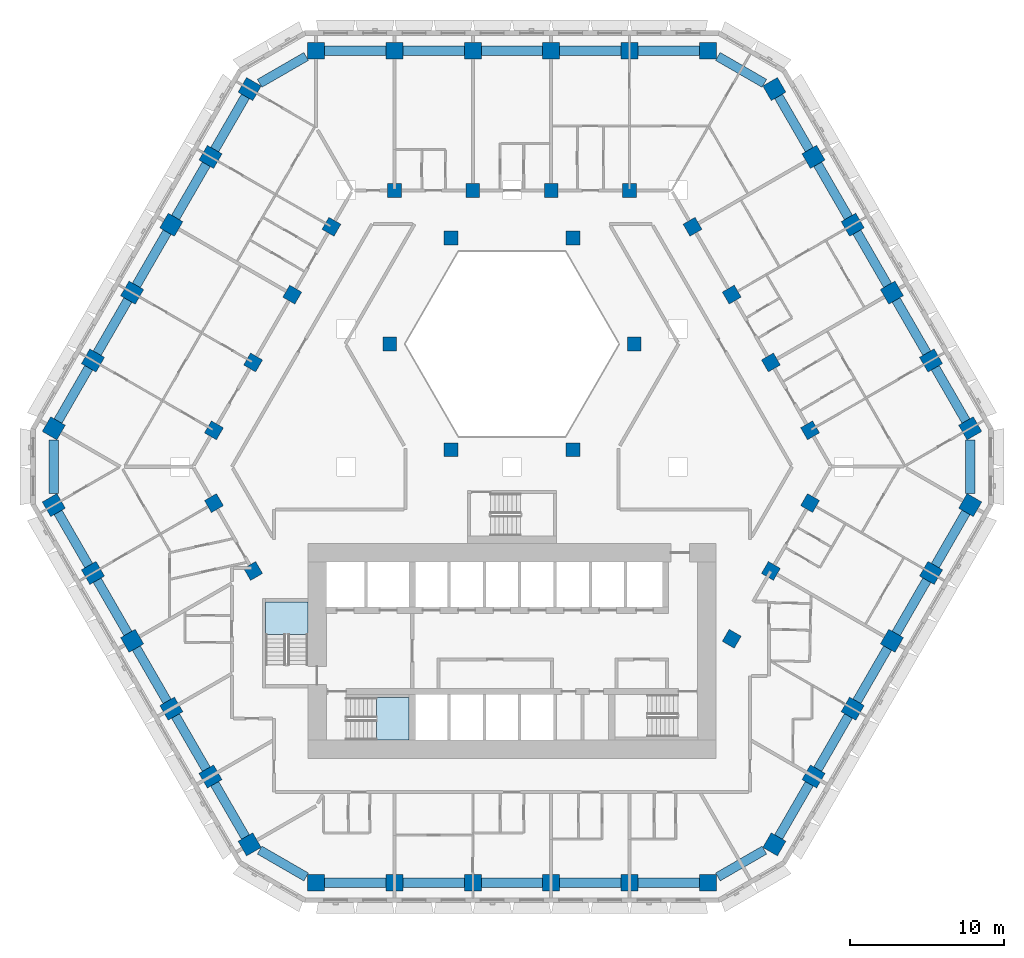
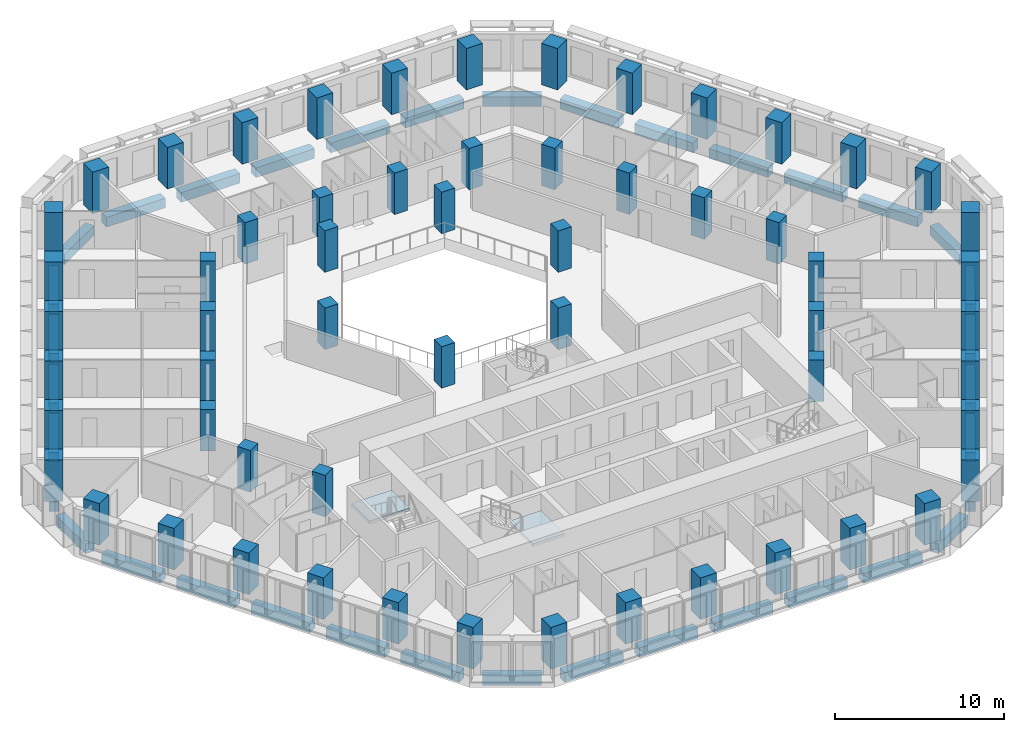
# One storey, part 1 of 21: 59 columns, 36 beams, 2 slabs, 2 elements without a shape of their own.
"""IFC4 building model written with IfcOpenShell, lengths in metres."""

from ifc_helpers import new_model, si_unit, direction, frame, origin, origin_2d, place, context, subcontext, project, spatial, polyline, rectangle, outline, extrude, material, layer, layer_set, material_profile, profile_set, type_object, element, aggregate, save


model = new_model("IFC4")

# Units and contexts
model_context = context("Model", 3, precision=1e-05, world=origin(), true_north=direction((0.0, 1.0)))
body_context = subcontext(model_context, "Body", "Model", "MODEL_VIEW")
ifc_project = project(units=[si_unit("LENGTHUNIT", "METRE"), si_unit("AREAUNIT", "SQUARE_METRE"), si_unit("VOLUMEUNIT", "CUBIC_METRE"), si_unit("PLANEANGLEUNIT", "RADIAN"), si_unit("MASSUNIT", "GRAM", prefix="KILO")], contexts=[model_context])

# Site, building, storey
site_placement = place(None, origin())
site = spatial("IfcSite", under=ifc_project, at=site_placement, CompositionType="ELEMENT")
building_placement = place(site_placement, origin())
building = spatial("IfcBuilding", under=site, at=building_placement, Name="Beryl Residences", CompositionType="ELEMENT")
storey_placement = place(building_placement, frame((0.0, 0.0, 23.39990234375)))
storey = spatial("IfcBuildingStorey", under=building, at=storey_placement, Name="L06", CompositionType="ELEMENT", Elevation=23.39990234375)

# Columns
ifc_material_1 = material(Name="Concrete C80/95", Category="concrete")
ifc_material_profile_1 = material_profile(ifc_material_1, rectangle(XDim=1.10009765625, YDim=1.10009765625, at=origin_2d()))
ifc_profile_set_1 = profile_set([ifc_material_profile_1], Name="Concrete C80/95")
column_type_1 = type_object("IfcColumnType", Name="C1 tube column 1100 x 1100 C80/95", PredefinedType="COLUMN", material=ifc_profile_set_1)
for number, where, z_axis, x_axis, name in (
    (1, (12.759033203125, 27.10009765625, 0.0), (0.0, 0.0, 1.0), (-1.0, 0.0, 0.0), "C1-N1 L06"),
    (2, (7.655029296875, 27.10009765625, 0.0), (0.0, 0.0, 1.0), (-1.0, 0.0, 0.0), "C1-N2 L06"),
    (3, (2.551025390625, 27.10009765625, 0.0), (0.0, 0.0, 1.0), (-1.0, 0.0, 0.0), "C1-N3 L06"),
    (4, (-2.552978515625, 27.10009765625, 0.0), (0.0, 0.0, 1.0), (-1.0, 0.0, 0.0), "C1-N4 L06"),
    (5, (-7.656982421875, 27.10009765625, 0.0), (0.0, 0.0, 1.0), (-1.0, 0.0, 0.0), "C1-N5 L06"),
    (6, (-12.760986328125, 27.10009765625, 0.0), (0.0, 0.0, 1.0), (-1.0, 0.0, 0.0), "C1-N6 L06"),
    (7, (-17.090087890625, 24.60009765625, 0.0), (0.0, 0.0, 1.0), (-0.499984884929, -0.866034130299, 0.0), "C1-NW1 L06"),
    (8, (-19.64208984375, 20.179931640625, 0.0), (0.0, 0.0, 1.0), (-0.499984884929, -0.866034130299, 0.0), "C1-NW2 L06"),
    (9, (-22.194091796875, 15.759033203125, 0.0), (0.0, 0.0, 1.0), (-0.499984884929, -0.866034130299, 0.0), "C1-NW3 L06"),
    (10, (-24.74609375, 11.339111328125, 0.0), (0.0, 0.0, 1.0), (-0.499984884929, -0.866034130299, 0.0), "C1-NW4 L06"),
    (11, (-27.298095703125, 6.9189453125, 0.0), (0.0, 0.0, 1.0), (-0.499984884929, -0.866034130299, 0.0), "C1-NW5 L06"),
    (12, (-29.84912109375, 2.4990234375, 0.0), (0.0, 0.0, 1.0), (-0.499984884929, -0.866034130299, 0.0), "C1-NW6 L06"),
    (13, (-29.847900390625, -2.5, 0.0), (0.0, 0.0, 1.0), (0.499984884929, -0.866034130299, 0.0), "C1-SW1 L06"),
    (14, (-27.297119140625, -6.9208984375, 0.0), (0.0, 0.0, 1.0), (0.499984884929, -0.866034130299, 0.0), "C1-SW2 L06"),
    (15, (-24.7451171875, -11.341064453125, 0.0), (0.0, 0.0, 1.0), (0.499984884929, -0.866034130299, 0.0), "C1-SW3 L06"),
    (16, (-22.193115234375, -15.760986328125, 0.0), (0.0, 0.0, 1.0), (0.499984884929, -0.866034130299, 0.0), "C1-SW4 L06"),
    (17, (-19.64111328125, -20.180908203125, 0.0), (0.0, 0.0, 1.0), (0.499984884929, -0.866034130299, 0.0), "C1-SW5 L06"),
    (18, (-17.089111328125, -24.60107421875, 0.0), (0.0, 0.0, 1.0), (0.499984884929, -0.866034130299, 0.0), "C1-SW6 L06"),
    (19, (-12.759033203125, -27.10009765625, 0.0), (0.0, 0.0, 1.0), (1.0, 0.0, 0.0), "C1-S1 L06"),
    (20, (-7.655029296875, -27.10009765625, 0.0), (0.0, 0.0, 1.0), (1.0, 0.0, 0.0), "C1-S2 L06"),
    (21, (-2.551025390625, -27.10009765625, 0.0), (0.0, 0.0, 1.0), (1.0, 0.0, 0.0), "C1-S3 L06"),
    (22, (2.552978515625, -27.10009765625, 0.0), (0.0, 0.0, 1.0), (1.0, 0.0, 0.0), "C1-S4 L06"),
    (23, (7.656982421875, -27.10009765625, 0.0), (0.0, 0.0, 1.0), (1.0, 0.0, 0.0), "C1-S5 L06"),
    (24, (12.760986328125, -27.10009765625, 0.0), (0.0, 0.0, 1.0), (1.0, 0.0, 0.0), "C1-S6 L06"),
    (25, (17.090087890625, -24.60009765625, 0.0), (0.0, 0.0, 1.0), (0.499984884929, 0.866034130299, 0.0), "C1-SE1 L06"),
    (26, (19.64208984375, -20.179931640625, 0.0), (0.0, 0.0, 1.0), (0.499984884929, 0.866034130299, 0.0), "C1-SE2 L06"),
    (27, (22.194091796875, -15.759033203125, 0.0), (0.0, 0.0, 1.0), (0.499984884929, 0.866034130299, 0.0), "C1-SE3 L06"),
    (28, (24.74609375, -11.339111328125, 0.0), (0.0, 0.0, 1.0), (0.499984884929, 0.866034130299, 0.0), "C1-SE4 L06"),
    (29, (27.298095703125, -6.9189453125, 0.0), (0.0, 0.0, 1.0), (0.499984884929, 0.866034130299, 0.0), "C1-SE5 L06"),
    (30, (29.84912109375, -2.4990234375, 0.0), (0.0, 0.0, 1.0), (0.499984884929, 0.866034130299, 0.0), "C1-SE6 L06"),
    (31, (29.847900390625, 2.5, 0.0), (0.0, 0.0, 1.0), (-0.499984884929, 0.866034130299, 0.0), "C1-NE1 L06"),
    (32, (27.297119140625, 6.9208984375, 0.0), (0.0, 0.0, 1.0), (-0.499984884929, 0.866034130299, 0.0), "C1-NE2 L06"),
    (33, (24.7451171875, 11.341064453125, 0.0), (0.0, 0.0, 1.0), (-0.499984884929, 0.866034130299, 0.0), "C1-NE3 L06"),
    (34, (22.193115234375, 15.760986328125, 0.0), (0.0, 0.0, 1.0), (-0.499984884929, 0.866034130299, 0.0), "C1-NE4 L06"),
    (35, (19.64111328125, 20.180908203125, 0.0), (0.0, 0.0, 1.0), (-0.499984884929, 0.866034130299, 0.0), "C1-NE5 L06"),
    (36, (17.089111328125, 24.60107421875, 0.0), (0.0, 0.0, 1.0), (-0.499984884929, 0.866034130299, 0.0), "C1-NE6 L06"),
):
    element("IfcColumn", number, at=place(storey_placement, frame(where, z_axis=z_axis, x_axis=x_axis)), inside=storey, type_object=column_type_1, Name=name, PredefinedType="COLUMN", context=body_context, shape_type="SweptSolid", body=[
        extrude(rectangle(XDim=1.10009765625, YDim=1.10009765625, at=origin_2d()), origin(), (0.0, 0.0, 1.0), 3.0),
    ])
ifc_material_2 = material(Name="Concrete C80/95", Category="concrete")
ifc_material_profile_2 = material_profile(ifc_material_2, rectangle(XDim=0.89990234375, YDim=0.89990234375, at=origin_2d()))
ifc_profile_set_2 = profile_set([ifc_material_profile_2], Name="Concrete C80/95")
column_type_2 = type_object("IfcColumnType", Name="IC1 interior column 900 x 900 C80/95", PredefinedType="COLUMN", material=ifc_profile_set_2)
for number, where, z_axis, x_axis, name in (
    (37, (-19.416015625, -2.37109375, 0.0), (0.0, 0.0, 1.0), (0.499984884929, -0.866034130299, 0.0), "IC1-M01 L06"),
    (38, (-16.864013671875, -6.791015625, 0.0), (0.0, 0.0, 1.0), (0.499984884929, -0.866034130299, 0.0), "IC1-M02 L06"),
    (39, (14.31298828125, -11.208984375, 0.0), (0.0, 0.0, 1.0), (0.499984884929, 0.866034130299, 0.0), "IC1-M03 L06"),
    (40, (16.864990234375, -6.7890625, 0.0), (0.0, 0.0, 1.0), (0.499984884929, 0.866034130299, 0.0), "IC1-M04 L06"),
    (41, (19.4169921875, -2.368896484375, 0.0), (0.0, 0.0, 1.0), (0.499984884929, 0.866034130299, 0.0), "IC1-M05 L06"),
    (42, (19.416015625, 2.37109375, 0.0), (0.0, 0.0, 1.0), (-0.499984884929, 0.866034130299, 0.0), "IC1-M06 L06"),
    (43, (3.98388671875, 1.10009765625, 0.0), (0.0, 0.0, 1.0), (1.0, 0.0, 0.0), "IC1-A07 L06"),
    (44, (16.864013671875, 6.791015625, 0.0), (0.0, 0.0, 1.0), (-0.499984884929, 0.866034130299, 0.0), "IC1-M08 L06"),
    (45, (14.31201171875, 11.2109375, 0.0), (0.0, 0.0, 1.0), (-0.499984884929, 0.866034130299, 0.0), "IC1-M09 L06"),
    (46, (7.967041015625, 8.0, 0.0), (0.0, 0.0, 1.0), (1.0, 0.0, 0.0), "IC1-A10 L06"),
    (47, (11.760009765625, 15.631103515625, 0.0), (0.0, 0.0, 1.0), (-0.499984884929, 0.866034130299, 0.0), "IC1-M11 L06"),
    (48, (7.655029296875, 18.0, 0.0), (0.0, 0.0, 1.0), (-1.0, 0.0, 0.0), "IC1-M12 L06"),
    (49, (3.98388671875, 14.89990234375, 0.0), (0.0, 0.0, 1.0), (1.0, 0.0, 0.0), "IC1-A13 L06"),
    (50, (2.551025390625, 18.0, 0.0), (0.0, 0.0, 1.0), (-1.0, 0.0, 0.0), "IC1-M14 L06"),
    (51, (-2.552978515625, 18.0, 0.0), (0.0, 0.0, 1.0), (-1.0, 0.0, 0.0), "IC1-M15 L06"),
    (52, (-3.98388671875, 14.89990234375, 0.0), (0.0, 0.0, 1.0), (1.0, 0.0, 0.0), "IC1-A16 L06"),
    (53, (-7.656982421875, 18.0, 0.0), (0.0, 0.0, 1.0), (-1.0, 0.0, 0.0), "IC1-M17 L06"),
    (54, (-11.760986328125, 15.6298828125, 0.0), (0.0, 0.0, 1.0), (-0.499984884929, -0.866034130299, 0.0), "IC1-M18 L06"),
    (55, (-7.967041015625, 8.0, 0.0), (0.0, 0.0, 1.0), (1.0, 0.0, 0.0), "IC1-A19 L06"),
    (56, (-14.31298828125, 11.208984375, 0.0), (0.0, 0.0, 1.0), (-0.499984884929, -0.866034130299, 0.0), "IC1-M20 L06"),
    (57, (-16.864990234375, 6.7890625, 0.0), (0.0, 0.0, 1.0), (-0.499984884929, -0.866034130299, 0.0), "IC1-M21 L06"),
    (58, (-3.98388671875, 1.10009765625, 0.0), (0.0, 0.0, 1.0), (1.0, 0.0, 0.0), "IC1-A22 L06"),
    (59, (-19.4169921875, 2.368896484375, 0.0), (0.0, 0.0, 1.0), (-0.499984884929, -0.866034130299, 0.0), "IC1-M23 L06"),
):
    element("IfcColumn", number, at=place(storey_placement, frame(where, z_axis=z_axis, x_axis=x_axis)), inside=storey, type_object=column_type_2, Name=name, PredefinedType="COLUMN", context=body_context, shape_type="SweptSolid", body=[
        extrude(rectangle(XDim=0.89990234375, YDim=0.89990234375, at=origin_2d()), origin(), (0.0, 0.0, 1.0), 3.0),
    ])

# Beams
ifc_material_3 = material(Name="Concrete C80/95", Category="concrete")
ifc_material_profile_3 = material_profile(ifc_material_3, rectangle(XDim=0.60009765625, YDim=0.699951171875, at=origin_2d()))
ifc_profile_set_3 = profile_set([ifc_material_profile_3], Name="Concrete C80/95")
beam_type = type_object("IfcBeamType", Name="SB1 spandrel beam 600 x 700 C80/95", PredefinedType="SPANDREL", material=ifc_profile_set_3)
for number, where, z_axis, x_axis, name in (
    (60, (12.208984375, 27.10009765625, -1.14990234375), (-1.0, 0.0, 0.0), (0.0, -1.0, 0.0), "SB1 L06 N-0"),
    (61, (7.10498046875, 27.10009765625, -1.14990234375), (-1.0, 0.0, 0.0), (0.0, -1.0, 0.0), "SB1 L06 N-1"),
    (62, (2.0009765625, 27.10009765625, -1.14990234375), (-1.0, 0.0, 0.0), (0.0, -1.0, 0.0), "SB1 L06 N-2"),
    (63, (-3.10302734375, 27.10009765625, -1.14990234375), (-1.0, 0.0, 0.0), (0.0, -1.0, 0.0), "SB1 L06 N-3"),
    (64, (-8.20703125, 27.10009765625, -1.14990234375), (-1.0, 0.0, 0.0), (0.0, -1.0, 0.0), "SB1 L06 N-4"),
):
    element("IfcBeam", number, at=place(storey_placement, frame(where, z_axis=z_axis, x_axis=x_axis)), inside=storey, type_object=beam_type, Name=name, PredefinedType="SPANDREL", context=body_context, shape_type="SweptSolid", body=[
        extrude(rectangle(XDim=0.60009765625, YDim=0.699951171875, at=origin_2d()), origin(), (0.0, 0.0, 1.0), 4.00390625),
    ])
beam_1_placement = place(storey_placement, frame((-13.410888671875, 26.72412109375, -1.14990234375), z_axis=(-0.866121658299, -0.499833245218, 0.0), x_axis=(0.499833245218, -0.866121658299, 0.0)))
element("IfcBeam", 65, at=beam_1_placement, inside=storey, type_object=beam_type, Name="SB1 L06 N-5", PredefinedType="SPANDREL", context=body_context, shape_type="SweptSolid", body=[
    extrude(rectangle(XDim=0.60009765625, YDim=0.699951171875, at=origin_2d()), origin(), (0.0, 0.0, 1.0), 3.497314453125),
])
beam_2_placement = place(storey_placement, frame((-17.364990234375, 24.1240234375, -1.14990234375), z_axis=(-0.499942357345, -0.866058681229, 0.0), x_axis=(0.866058681229, -0.499942357345, 0.0)))
element("IfcBeam", 66, at=beam_2_placement, inside=storey, type_object=beam_type, Name="SB1 L06 NW-0", PredefinedType="SPANDREL", context=body_context, shape_type="SweptSolid", body=[
    extrude(rectangle(XDim=0.60009765625, YDim=0.699951171875, at=origin_2d()), origin(), (0.0, 0.0, 1.0), 4.00439453125),
])
beam_3_placement = place(storey_placement, frame((-19.9169921875, 19.7041015625, -1.14990234375), z_axis=(-0.499836783367, -0.866119616446, 0.0), x_axis=(0.866119616446, -0.499836783367, 0.0)))
element("IfcBeam", 67, at=beam_3_placement, inside=storey, type_object=beam_type, Name="SB1 L06 NW-1", PredefinedType="SPANDREL", context=body_context, shape_type="SweptSolid", body=[
    extrude(rectangle(XDim=0.60009765625, YDim=0.699951171875, at=origin_2d()), origin(), (0.0, 0.0, 1.0), 4.005126953125),
])
for number, where, z_axis, x_axis, name in (
    (68, (-22.468994140625, 15.282958984375, -1.14990234375), (-0.499942357345, -0.866058681229, 0.0), (0.866058681229, -0.499942357345, 0.0), "SB1 L06 NW-2"),
    (69, (-25.02099609375, 10.863037109375, -1.14990234375), (-0.499942357345, -0.866058681229, 0.0), (0.866058681229, -0.499942357345, 0.0), "SB1 L06 NW-3"),
):
    element("IfcBeam", number, at=place(storey_placement, frame(where, z_axis=z_axis, x_axis=x_axis)), inside=storey, type_object=beam_type, Name=name, PredefinedType="SPANDREL", context=body_context, shape_type="SweptSolid", body=[
        extrude(rectangle(XDim=0.60009765625, YDim=0.699951171875, at=origin_2d()), origin(), (0.0, 0.0, 1.0), 4.00439453125),
    ])
beam_4_placement = place(storey_placement, frame((-27.572998046875, 6.443115234375, -1.14990234375), z_axis=(-0.499759404093, -0.866164267342, 0.0), x_axis=(0.866164267342, -0.499759404093, 0.0)))
element("IfcBeam", 70, at=beam_4_placement, inside=storey, type_object=beam_type, Name="SB1 L06 NW-4", PredefinedType="SPANDREL", context=body_context, shape_type="SweptSolid", body=[
    extrude(rectangle(XDim=0.60009765625, YDim=0.699951171875, at=origin_2d()), origin(), (0.0, 0.0, 1.0), 4.00390625),
])
beam_5_placement = place(storey_placement, frame((-29.84912109375, 1.748046875, -1.14990234375), z_axis=(0.000349064486, -0.999999939077, 0.0), x_axis=(0.999999939077, 0.000349064486, 0.0)))
element("IfcBeam", 71, at=beam_5_placement, inside=storey, type_object=beam_type, Name="SB1 L06 NW-5", PredefinedType="SPANDREL", context=body_context, shape_type="SweptSolid", body=[
    extrude(rectangle(XDim=0.60009765625, YDim=0.699951171875, at=origin_2d()), origin(), (0.0, 0.0, 1.0), 3.4970703125),
])
beam_6_placement = place(storey_placement, frame((-29.572998046875, -2.97607421875, -1.14990234375), z_axis=(0.499653843024, -0.866225165388, 0.0), x_axis=(0.866225165388, 0.499653843024, 0.0)))
element("IfcBeam", 72, at=beam_6_placement, inside=storey, type_object=beam_type, Name="SB1 L06 SW-0", PredefinedType="SPANDREL", context=body_context, shape_type="SweptSolid", body=[
    extrude(rectangle(XDim=0.60009765625, YDim=0.699951171875, at=origin_2d()), origin(), (0.0, 0.0, 1.0), 4.004638671875),
])
for number, where, z_axis, x_axis, name in (
    (73, (-27.02197265625, -7.39697265625, -1.14990234375), (0.499942357345, -0.866058681229, 0.0), (0.866058681229, 0.499942357345, 0.0), "SB1 L06 SW-1"),
    (74, (-24.469970703125, -11.81689453125, -1.14990234375), (0.499942357345, -0.866058681229, 0.0), (0.866058681229, 0.499942357345, 0.0), "SB1 L06 SW-2"),
    (75, (-21.91796875, -16.237060546875, -1.14990234375), (0.499942357345, -0.866058681229, 0.0), (0.866058681229, 0.499942357345, 0.0), "SB1 L06 SW-3"),
    (76, (-19.365966796875, -20.656982421875, -1.14990234375), (0.499942357345, -0.866058681229, 0.0), (0.866058681229, 0.499942357345, 0.0), "SB1 L06 SW-4"),
):
    element("IfcBeam", number, at=place(storey_placement, frame(where, z_axis=z_axis, x_axis=x_axis)), inside=storey, type_object=beam_type, Name=name, PredefinedType="SPANDREL", context=body_context, shape_type="SweptSolid", body=[
        extrude(rectangle(XDim=0.60009765625, YDim=0.699951171875, at=origin_2d()), origin(), (0.0, 0.0, 1.0), 4.00439453125),
    ])
beam_7_placement = place(storey_placement, frame((-16.43896484375, -24.97607421875, -1.14990234375), z_axis=(0.866070549782, -0.499921796684, 0.0), x_axis=(0.499921796684, 0.866070549782, 0.0)))
element("IfcBeam", 77, at=beam_7_placement, inside=storey, type_object=beam_type, Name="SB1 L06 SW-5", PredefinedType="SPANDREL", context=body_context, shape_type="SweptSolid", body=[
    extrude(rectangle(XDim=0.60009765625, YDim=0.699951171875, at=origin_2d()), origin(), (0.0, 0.0, 1.0), 3.49853515625),
])
for number, where, z_axis, x_axis, name in (
    (78, (-12.208984375, -27.10009765625, -1.14990234375), (1.0, 0.0, 0.0), (0.0, 1.0, 0.0), "SB1 L06 S-0"),
    (79, (-7.10498046875, -27.10009765625, -1.14990234375), (1.0, 0.0, 0.0), (0.0, 1.0, 0.0), "SB1 L06 S-1"),
    (80, (-2.0009765625, -27.10009765625, -1.14990234375), (1.0, 0.0, 0.0), (0.0, 1.0, 0.0), "SB1 L06 S-2"),
    (81, (3.10302734375, -27.10009765625, -1.14990234375), (1.0, 0.0, 0.0), (0.0, 1.0, 0.0), "SB1 L06 S-3"),
    (82, (8.20703125, -27.10009765625, -1.14990234375), (1.0, 0.0, 0.0), (0.0, 1.0, 0.0), "SB1 L06 S-4"),
):
    element("IfcBeam", number, at=place(storey_placement, frame(where, z_axis=z_axis, x_axis=x_axis)), inside=storey, type_object=beam_type, Name=name, PredefinedType="SPANDREL", context=body_context, shape_type="SweptSolid", body=[
        extrude(rectangle(XDim=0.60009765625, YDim=0.699951171875, at=origin_2d()), origin(), (0.0, 0.0, 1.0), 4.00390625),
    ])
beam_8_placement = place(storey_placement, frame((13.410888671875, -26.72412109375, -1.14990234375), z_axis=(0.866121658299, 0.499833245218, 0.0), x_axis=(-0.499833245218, 0.866121658299, 0.0)))
element("IfcBeam", 83, at=beam_8_placement, inside=storey, type_object=beam_type, Name="SB1 L06 S-5", PredefinedType="SPANDREL", context=body_context, shape_type="SweptSolid", body=[
    extrude(rectangle(XDim=0.60009765625, YDim=0.699951171875, at=origin_2d()), origin(), (0.0, 0.0, 1.0), 3.497314453125),
])
beam_9_placement = place(storey_placement, frame((17.364990234375, -24.1240234375, -1.14990234375), z_axis=(0.499942357345, 0.866058681229, 0.0), x_axis=(-0.866058681229, 0.499942357345, 0.0)))
element("IfcBeam", 84, at=beam_9_placement, inside=storey, type_object=beam_type, Name="SB1 L06 SE-0", PredefinedType="SPANDREL", context=body_context, shape_type="SweptSolid", body=[
    extrude(rectangle(XDim=0.60009765625, YDim=0.699951171875, at=origin_2d()), origin(), (0.0, 0.0, 1.0), 4.00439453125),
])
beam_10_placement = place(storey_placement, frame((19.9169921875, -19.7041015625, -1.14990234375), z_axis=(0.499836783367, 0.866119616446, 0.0), x_axis=(-0.866119616446, 0.499836783367, 0.0)))
element("IfcBeam", 85, at=beam_10_placement, inside=storey, type_object=beam_type, Name="SB1 L06 SE-1", PredefinedType="SPANDREL", context=body_context, shape_type="SweptSolid", body=[
    extrude(rectangle(XDim=0.60009765625, YDim=0.699951171875, at=origin_2d()), origin(), (0.0, 0.0, 1.0), 4.005126953125),
])
for number, where, z_axis, x_axis, name in (
    (86, (22.468994140625, -15.282958984375, -1.14990234375), (0.499942357345, 0.866058681229, 0.0), (-0.866058681229, 0.499942357345, 0.0), "SB1 L06 SE-2"),
    (87, (25.02099609375, -10.863037109375, -1.14990234375), (0.499942357345, 0.866058681229, 0.0), (-0.866058681229, 0.499942357345, 0.0), "SB1 L06 SE-3"),
):
    element("IfcBeam", number, at=place(storey_placement, frame(where, z_axis=z_axis, x_axis=x_axis)), inside=storey, type_object=beam_type, Name=name, PredefinedType="SPANDREL", context=body_context, shape_type="SweptSolid", body=[
        extrude(rectangle(XDim=0.60009765625, YDim=0.699951171875, at=origin_2d()), origin(), (0.0, 0.0, 1.0), 4.00439453125),
    ])
beam_11_placement = place(storey_placement, frame((27.572998046875, -6.443115234375, -1.14990234375), z_axis=(0.499759404093, 0.866164267342, 0.0), x_axis=(-0.866164267342, 0.499759404093, 0.0)))
element("IfcBeam", 88, at=beam_11_placement, inside=storey, type_object=beam_type, Name="SB1 L06 SE-4", PredefinedType="SPANDREL", context=body_context, shape_type="SweptSolid", body=[
    extrude(rectangle(XDim=0.60009765625, YDim=0.699951171875, at=origin_2d()), origin(), (0.0, 0.0, 1.0), 4.00390625),
])
beam_12_placement = place(storey_placement, frame((29.84912109375, -1.748046875, -1.14990234375), z_axis=(-0.000349064486, 0.999999939077, 0.0), x_axis=(-0.999999939077, -0.000349064486, 0.0)))
element("IfcBeam", 89, at=beam_12_placement, inside=storey, type_object=beam_type, Name="SB1 L06 SE-5", PredefinedType="SPANDREL", context=body_context, shape_type="SweptSolid", body=[
    extrude(rectangle(XDim=0.60009765625, YDim=0.699951171875, at=origin_2d()), origin(), (0.0, 0.0, 1.0), 3.4970703125),
])
beam_13_placement = place(storey_placement, frame((29.572998046875, 2.97607421875, -1.14990234375), z_axis=(-0.499653843024, 0.866225165388, 0.0), x_axis=(-0.866225165388, -0.499653843024, 0.0)))
element("IfcBeam", 90, at=beam_13_placement, inside=storey, type_object=beam_type, Name="SB1 L06 NE-0", PredefinedType="SPANDREL", context=body_context, shape_type="SweptSolid", body=[
    extrude(rectangle(XDim=0.60009765625, YDim=0.699951171875, at=origin_2d()), origin(), (0.0, 0.0, 1.0), 4.004638671875),
])
for number, where, z_axis, x_axis, name in (
    (91, (27.02197265625, 7.39697265625, -1.14990234375), (-0.499942357345, 0.866058681229, 0.0), (-0.866058681229, -0.499942357345, 0.0), "SB1 L06 NE-1"),
    (92, (24.469970703125, 11.81689453125, -1.14990234375), (-0.499942357345, 0.866058681229, 0.0), (-0.866058681229, -0.499942357345, 0.0), "SB1 L06 NE-2"),
    (93, (21.91796875, 16.237060546875, -1.14990234375), (-0.499942357345, 0.866058681229, 0.0), (-0.866058681229, -0.499942357345, 0.0), "SB1 L06 NE-3"),
    (94, (19.365966796875, 20.656982421875, -1.14990234375), (-0.499942357345, 0.866058681229, 0.0), (-0.866058681229, -0.499942357345, 0.0), "SB1 L06 NE-4"),
):
    element("IfcBeam", number, at=place(storey_placement, frame(where, z_axis=z_axis, x_axis=x_axis)), inside=storey, type_object=beam_type, Name=name, PredefinedType="SPANDREL", context=body_context, shape_type="SweptSolid", body=[
        extrude(rectangle(XDim=0.60009765625, YDim=0.699951171875, at=origin_2d()), origin(), (0.0, 0.0, 1.0), 4.00439453125),
    ])
beam_14_placement = place(storey_placement, frame((16.43896484375, 24.97607421875, -1.14990234375), z_axis=(-0.866070549782, 0.499921796684, 0.0), x_axis=(-0.499921796684, -0.866070549782, 0.0)))
element("IfcBeam", 95, at=beam_14_placement, inside=storey, type_object=beam_type, Name="SB1 L06 NE-5", PredefinedType="SPANDREL", context=body_context, shape_type="SweptSolid", body=[
    extrude(rectangle(XDim=0.60009765625, YDim=0.699951171875, at=origin_2d()), origin(), (0.0, 0.0, 1.0), 3.49853515625),
])

# Stair, slab
ifc_material_4 = material(Name="Concrete C40/50", Category="concrete")
stair_type = type_object("IfcStairType", Name="ST1 protected exit stair, half-turn, 1300 mm flights", PredefinedType="HALF_TURN_STAIR", material=ifc_material_4)
stair_1_placement = place(storey_placement, origin())
stair_1 = element("IfcStair", 96, at=stair_1_placement, inside=storey, type_object=stair_type, Name="L06 PROTECTED EXIT STAIR ST-1", PredefinedType="HALF_TURN_STAIR")
ifc_material_5 = material(Name="Concrete C40/50", Category="concrete")
ifc_layer = layer(ifc_material_5, 0.199951171875)
ifc_layer_set = layer_set([ifc_layer], Name="SLD1 stair landing 200 mm")
slab_type = type_object("IfcSlabType", Name="SLD1 stair landing 200 mm", PredefinedType="LANDING", material=ifc_layer_set)
slab_1_placement = place(storey_placement, frame((0.0, 0.0, 1.300048828125)))
slab_1 = element("IfcSlab", 97, at=slab_1_placement, type_object=slab_type, Name="ST-1 landing 1", PredefinedType="LANDING", context=body_context, shape_type="SweptSolid", body=[
    extrude(outline(polyline([(-8.840087890625, -17.800048828125), (-6.699951171875, -17.800048828125), (-6.699951171875, -15.050048828125), (-8.840087890625, -15.050048828125), (-8.840087890625, -17.800048828125)])), origin(), (0.0, 0.0, 1.0), 0.199951171875),
])
aggregate(stair_1, [slab_1])

stair_2_placement = place(storey_placement, origin())
stair_2 = element("IfcStair", 98, at=stair_2_placement, inside=storey, type_object=stair_type, Name="L06 PROTECTED EXIT STAIR ST-2", PredefinedType="HALF_TURN_STAIR")
slab_2_placement = place(storey_placement, frame((0.0, 0.0, 1.300048828125)))
slab_2 = element("IfcSlab", 99, at=slab_2_placement, type_object=slab_type, Name="ST-2 landing 1", PredefinedType="LANDING", context=body_context, shape_type="SweptSolid", body=[
    extrude(outline(polyline([(-13.300048828125, -10.93994140625), (-13.300048828125, -8.800048828125), (-16.050048828125, -8.800048828125), (-16.050048828125, -10.93994140625), (-13.300048828125, -10.93994140625)])), origin(), (0.0, 0.0, 1.0), 0.199951171875),
])
aggregate(stair_2, [slab_2])

save(model, "model.ifc")
